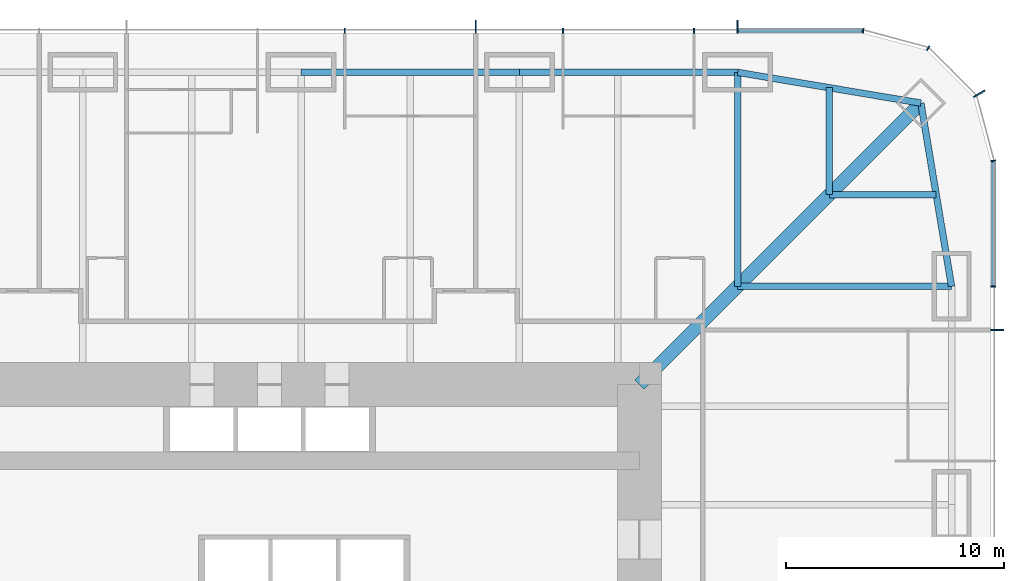
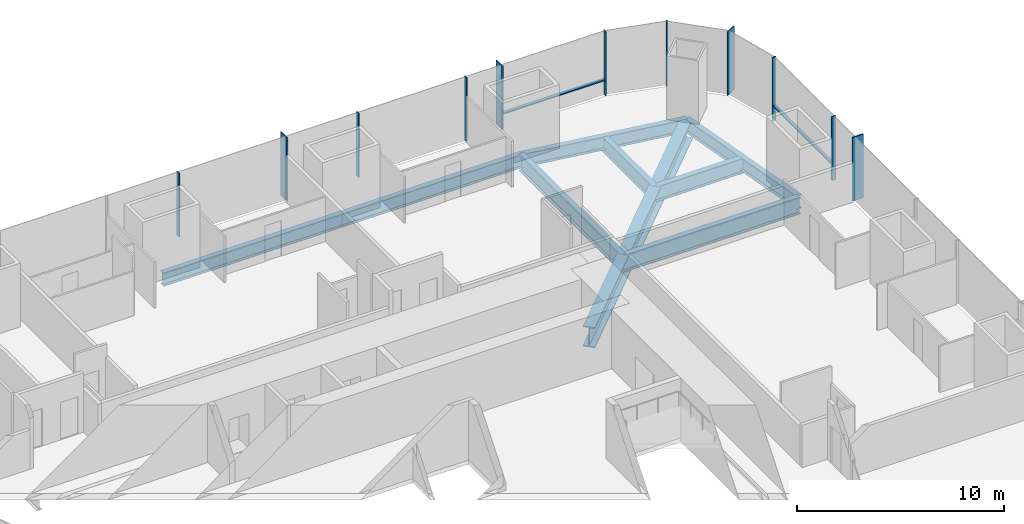
# One storey, part 9 of 17: 13 members, 9 beams, 3 elements without a shape of their own.
"""IFC4 building model written with IfcOpenShell, lengths in metres."""

from ifc_helpers import new_model, si_unit, direction, frame, origin, origin_2d, place, context, subcontext, project, spatial, rectangle, i_section, extrude, material, material_profile, profile_set, type_object, element, aggregate, save


model = new_model("IFC4")

# Units and contexts
model_context = context("Model", 3, precision=1e-05, world=origin(), true_north=direction((0.0, 1.0)))
body_context = subcontext(model_context, "Body", "Model", "MODEL_VIEW")
ifc_project = project(units=[si_unit("LENGTHUNIT", "METRE"), si_unit("AREAUNIT", "SQUARE_METRE"), si_unit("VOLUMEUNIT", "CUBIC_METRE"), si_unit("PLANEANGLEUNIT", "RADIAN"), si_unit("MASSUNIT", "GRAM", prefix="KILO")], contexts=[model_context])

# Site, building, storey
site_placement = place(None, origin())
site = spatial("IfcSite", under=ifc_project, at=site_placement, CompositionType="ELEMENT")
building_placement = place(site_placement, origin())
building = spatial("IfcBuilding", under=site, at=building_placement, Name="Khuree Lantern Residences", CompositionType="ELEMENT")
storey_placement = place(building_placement, frame((0.0, 0.0, 39.75)))
storey = spatial("IfcBuildingStorey", under=building, at=storey_placement, Name="L09", CompositionType="ELEMENT", Elevation=39.75)

# Beams
ifc_material_1 = material(Name="Steel S355", Category="steel")
ifc_material_profile_1 = material_profile(ifc_material_1, i_section(OverallWidth=0.300048828125, OverallDepth=0.889892578125, WebThickness=0.01611328125, FlangeThickness=0.030029296875, FilletRadius=0.030029296875, at=origin_2d()), Name="HE 900 A")
ifc_profile_set_1 = profile_set([ifc_material_profile_1], Name="Steel S355")
beam_type_1 = type_object("IfcBeamType", Name="B-12 SECONDARY BEAM HE 900 A", PredefinedType="BEAM", material=ifc_profile_set_1)
for number, where, z_axis, x_axis, name in (
    (1, (24.197021484375, 29.09716796875, -0.695068359375), (0.0, -1.0, 0.0), (1.0, 0.0, 0.0), "Secondary beam N5"),
    (2, (29.09716796875, 24.197021484375, -0.695068359375), (-1.0, 0.0, 0.0), (0.0, -1.0, 0.0), "Secondary beam E1"),
):
    element("IfcBeam", number, at=place(storey_placement, frame(where, z_axis=z_axis, x_axis=x_axis)), inside=storey, type_object=beam_type_1, Name=name, PredefinedType="BEAM", context=body_context, shape_type="SweptSolid", body=[
        extrude(i_section(OverallWidth=0.300048828125, OverallDepth=0.889892578125, WebThickness=0.01611328125, FlangeThickness=0.030029296875, FilletRadius=0.030029296875, at=origin_2d()), origin(), (0.0, 0.0, 1.0), 4.900146484375),
    ])
ifc_material_profile_2 = material_profile(ifc_material_1, i_section(OverallWidth=0.300048828125, OverallDepth=0.7900390625, WebThickness=0.014892578125, FlangeThickness=0.028076171875, FilletRadius=0.030029296875, at=origin_2d()), Name="HE 800 A")
ifc_profile_set_2 = profile_set([ifc_material_profile_2], Name="Steel S355")
beam_type_2 = type_object("IfcBeamType", Name="E-12 SPANDREL BEAM HE 800 A", PredefinedType="SPANDREL", material=ifc_profile_set_2)
for number, where, z_axis, x_axis, name in (
    (3, (0.0, 29.800048828125, -0.64501953125), (1.0, 0.0, 0.0), (0.0, 1.0, 0.0), "Spandrel beam N3"),
    (4, (10.0, 29.800048828125, -0.64501953125), (1.0, 0.0, 0.0), (0.0, 1.0, 0.0), "Spandrel beam N4"),
):
    element("IfcBeam", number, at=place(storey_placement, frame(where, z_axis=z_axis, x_axis=x_axis)), inside=storey, type_object=beam_type_2, Name=name, PredefinedType="SPANDREL", context=body_context, shape_type="SweptSolid", body=[
        extrude(i_section(OverallWidth=0.300048828125, OverallDepth=0.7900390625, WebThickness=0.014892578125, FlangeThickness=0.028076171875, FilletRadius=0.030029296875, at=origin_2d()), origin(), (0.0, 0.0, 1.0), 10.0),
    ])
for number, where, z_axis, x_axis, name in (
    (5, (20.0, 29.800048828125, -0.64501953125), (0.986260251158, -0.165199022349, 0.0), (0.165199022349, 0.986260251158, 0.0), "Spandrel beam N5"),
    (6, (28.39404296875, 28.39404296875, -0.64501953125), (0.165199022349, -0.986260251158, 0.0), (0.986260251158, 0.165199022349, 0.0), "Spandrel beam E1"),
):
    element("IfcBeam", number, at=place(storey_placement, frame(where, z_axis=z_axis, x_axis=x_axis)), inside=storey, type_object=beam_type_2, Name=name, PredefinedType="SPANDREL", context=body_context, shape_type="SweptSolid", body=[
        extrude(i_section(OverallWidth=0.300048828125, OverallDepth=0.7900390625, WebThickness=0.014892578125, FlangeThickness=0.028076171875, FilletRadius=0.030029296875, at=origin_2d()), origin(), (0.0, 0.0, 1.0), 8.510986328125),
    ])

# Curtain wall, member
ifc_material_2 = material(Name="Bronze anodised aluminium", Category="aluminium")
curtain_wall_type_1 = type_object("IfcCurtainWallType", Name="CW-T1 TOWER FACE CURTAIN WALL", PredefinedType="USERDEFINED", material=ifc_material_2)
curtain_wall_1_placement = place(storey_placement, origin())
curtain_wall_1 = element("IfcCurtainWall", 7, at=curtain_wall_1_placement, inside=storey, type_object=curtain_wall_type_1, Name="L09 EAST FACE CURTAIN WALL", ObjectType="Stick-built curtain wall", PredefinedType="USERDEFINED")
ifc_material_profile_3 = material_profile(ifc_material_2, rectangle(XDim=0.06494140625, YDim=0.60009765625, at=origin_2d()), Name="F1 65X600")
ifc_profile_set_3 = profile_set([ifc_material_profile_3], Name="Bronze anodised aluminium")
member_type_1 = type_object("IfcMemberType", Name="F1 BRONZE FIN MULLION TOWER 65X600", PredefinedType="MULLION", material=ifc_profile_set_3)
member_1_placement = place(storey_placement, frame((31.89990234375, 18.0, 0.0), z_axis=(0.0, 0.0, 1.0), x_axis=(0.0, 1.0, 0.0)))
member_1 = element("IfcMember", 8, at=member_1_placement, type_object=member_type_1, Name="L09 EAST FACE FIN MULLION 13", PredefinedType="MULLION", context=body_context, shape_type="SweptSolid", body=[
    extrude(rectangle(XDim=0.06494140625, YDim=0.60009765625, at=origin_2d()), origin(), (0.0, 0.0, 1.0), 3.75),
])

curtain_wall_type_2 = type_object("IfcCurtainWallType", Name="CW-T2 TOWER CORNER CURTAIN WALL", PredefinedType="USERDEFINED", material=ifc_material_2)
curtain_wall_2_placement = place(storey_placement, origin())
curtain_wall_2 = element("IfcCurtainWall", 9, at=curtain_wall_2_placement, inside=storey, type_object=curtain_wall_type_2, Name="L09 NORTH-EAST CORNER CURTAIN WALL", ObjectType="Faceted corner curtain wall", PredefinedType="USERDEFINED")
member_2_placement = place(storey_placement, frame((31.076171875, 28.824951171875, 0.0), z_axis=(0.0, 0.0, 1.0), x_axis=(-0.500000056923, 0.86602537092, 0.0)))
member_2 = element("IfcMember", 10, at=member_2_placement, type_object=member_type_1, Name="L09 NORTH-EAST CORNER FIN MULLION 16", PredefinedType="MULLION", context=body_context, shape_type="SweptSolid", body=[
    extrude(rectangle(XDim=0.06494140625, YDim=0.60009765625, at=origin_2d()), origin(), (0.0, 0.0, 1.0), 3.75),
])

# Curtain wall, members
curtain_wall_3_placement = place(storey_placement, origin())
curtain_wall_3 = element("IfcCurtainWall", 11, at=curtain_wall_3_placement, inside=storey, type_object=curtain_wall_type_1, Name="L09 NORTH FACE CURTAIN WALL", ObjectType="Stick-built curtain wall", PredefinedType="USERDEFINED")
member_3_placement = place(storey_placement, frame((20.0, 31.89990234375, 0.0), z_axis=(0.0, 0.0, 1.0), x_axis=(-1.0, 0.0, 0.0)))
member_3 = element("IfcMember", 12, at=member_3_placement, type_object=member_type_1, Name="L09 NORTH FACE FIN MULLION 19", PredefinedType="MULLION", context=body_context, shape_type="SweptSolid", body=[
    extrude(rectangle(XDim=0.06494140625, YDim=0.60009765625, at=origin_2d()), origin(), (0.0, 0.0, 1.0), 3.75),
])
member_4_placement = place(storey_placement, frame((8.0, 31.89990234375, 0.0), z_axis=(0.0, 0.0, 1.0), x_axis=(-1.0, 0.0, 0.0)))
member_4 = element("IfcMember", 13, at=member_4_placement, type_object=member_type_1, Name="L09 NORTH FACE FIN MULLION 22", PredefinedType="MULLION", context=body_context, shape_type="SweptSolid", body=[
    extrude(rectangle(XDim=0.06494140625, YDim=0.60009765625, at=origin_2d()), origin(), (0.0, 0.0, 1.0), 3.75),
])

# Beams
ifc_material_profile_4 = material_profile(ifc_material_1, i_section(OverallWidth=0.302001953125, OverallDepth=1.008056640625, WebThickness=0.02099609375, FlangeThickness=0.0400390625, FilletRadius=0.030029296875, at=origin_2d()), Name="HE 1000 M")
ifc_profile_set_4 = profile_set([ifc_material_profile_4], Name="Steel S355")
beam_type_3 = type_object("IfcBeamType", Name="G-12 GIRDER HE 1000 M", PredefinedType="BEAM", material=ifc_profile_set_4)
for number, where, z_axis, x_axis, name in (
    (14, (20.0, 29.800048828125, -0.75390625), (0.0, -1.0, 0.0), (1.0, 0.0, 0.0), "Girder N5"),
    (15, (29.800048828125, 20.0, -0.75390625), (-1.0, 0.0, 0.0), (0.0, -1.0, 0.0), "Girder E1"),
):
    element("IfcBeam", number, at=place(storey_placement, frame(where, z_axis=z_axis, x_axis=x_axis)), inside=storey, type_object=beam_type_3, Name=name, PredefinedType="BEAM", context=body_context, shape_type="SweptSolid", body=[
        extrude(i_section(OverallWidth=0.302001953125, OverallDepth=1.008056640625, WebThickness=0.02099609375, FlangeThickness=0.0400390625, FilletRadius=0.030029296875, at=origin_2d()), origin(), (0.0, 0.0, 1.0), 9.800048828125),
    ])
ifc_material_profile_5 = material_profile(ifc_material_1, i_section(OverallWidth=0.60009765625, OverallDepth=1.199951171875, WebThickness=0.030029296875, FlangeThickness=0.06005859375, at=origin_2d()), Name="WELDED I 1200X600X30X60")
ifc_profile_set_5 = profile_set([ifc_material_profile_5], Name="Steel S355")
beam_type_4 = type_object("IfcBeamType", Name="GD-12 CORNER GIRDER WELDED I 1200X600X30X60", PredefinedType="BEAM", material=ifc_profile_set_5)
beam_placement = place(storey_placement, frame((28.39404296875, 28.39404296875, -0.85009765625), z_axis=(-0.707106781187, -0.707106781187, 0.0), x_axis=(0.707106781187, -0.707106781187, 0.0)))
element("IfcBeam", 16, at=beam_placement, inside=storey, type_object=beam_type_4, Name="Corner girder NE", PredefinedType="BEAM", context=body_context, shape_type="SweptSolid", body=[
    extrude(i_section(OverallWidth=0.60009765625, OverallDepth=1.199951171875, WebThickness=0.030029296875, FlangeThickness=0.06005859375, at=origin_2d()), origin(), (0.0, 0.0, 1.0), 18.23486328125),
])

# Member
ifc_material_profile_6 = material_profile(ifc_material_2, rectangle(XDim=0.06494140625, YDim=0.219970703125, at=origin_2d()), Name="M1 65X220")
ifc_profile_set_6 = profile_set([ifc_material_profile_6], Name="Bronze anodised aluminium")
member_type_2 = type_object("IfcMemberType", Name="M1 BRONZE MULLION TOWER 65X220", PredefinedType="MULLION", material=ifc_profile_set_6)
member_5_placement = place(storey_placement, frame((31.7099609375, 20.0, 0.0), z_axis=(0.0, 0.0, 1.0), x_axis=(0.0, 1.0, 0.0)))
member_5 = element("IfcMember", 17, at=member_5_placement, type_object=member_type_2, Name="L09 EAST FACE MULLION 14", PredefinedType="MULLION", context=body_context, shape_type="SweptSolid", body=[
    extrude(rectangle(XDim=0.06494140625, YDim=0.219970703125, at=origin_2d()), origin(), (0.0, 0.0, 1.0), 3.75),
])

member_6_placement = place(storey_placement, frame((31.711669921875, 25.744873046875, 0.0), z_axis=(0.0, 0.0, 1.0), x_axis=(-0.130526257387, 0.991444852794, 0.0)))
member_6 = element("IfcMember", 18, at=member_6_placement, type_object=member_type_2, Name="L09 NORTH-EAST CORNER MULLION 15", PredefinedType="MULLION", context=body_context, shape_type="SweptSolid", body=[
    extrude(rectangle(XDim=0.06494140625, YDim=0.219970703125, at=origin_2d()), origin(), (0.0, 0.0, 1.0), 3.75),
])

member_7_placement = place(storey_placement, frame((28.72998046875, 30.91162109375, 0.0), z_axis=(0.0, 0.0, 1.0), x_axis=(-0.86602537092, 0.500000056923, 0.0)))
member_7 = element("IfcMember", 19, at=member_7_placement, type_object=member_type_2, Name="L09 NORTH-EAST CORNER MULLION 17", PredefinedType="MULLION", context=body_context, shape_type="SweptSolid", body=[
    extrude(rectangle(XDim=0.06494140625, YDim=0.219970703125, at=origin_2d()), origin(), (0.0, 0.0, 1.0), 3.75),
])

aggregate(curtain_wall_2, [member_6, member_2, member_7])

member_8_placement = place(storey_placement, frame((25.744873046875, 31.711669921875, 0.0), z_axis=(0.0, 0.0, 1.0), x_axis=(-0.991444852794, 0.130526257387, 0.0)))
member_8 = element("IfcMember", 20, at=member_8_placement, type_object=member_type_2, Name="L09 NORTH FACE MULLION 18", PredefinedType="MULLION", context=body_context, shape_type="SweptSolid", body=[
    extrude(rectangle(XDim=0.06494140625, YDim=0.219970703125, at=origin_2d()), origin(), (0.0, 0.0, 1.0), 3.75),
])

member_9_placement = place(storey_placement, frame((18.0, 31.7099609375, 0.0), z_axis=(0.0, 0.0, 1.0), x_axis=(-1.0, 0.0, 0.0)))
member_9 = element("IfcMember", 21, at=member_9_placement, type_object=member_type_2, Name="L09 NORTH FACE MULLION 20", PredefinedType="MULLION", context=body_context, shape_type="SweptSolid", body=[
    extrude(rectangle(XDim=0.06494140625, YDim=0.219970703125, at=origin_2d()), origin(), (0.0, 0.0, 1.0), 3.75),
])

member_10_placement = place(storey_placement, frame((12.0, 31.7099609375, 0.0), z_axis=(0.0, 0.0, 1.0), x_axis=(-1.0, 0.0, 0.0)))
member_10 = element("IfcMember", 22, at=member_10_placement, type_object=member_type_2, Name="L09 NORTH FACE MULLION 21", PredefinedType="MULLION", context=body_context, shape_type="SweptSolid", body=[
    extrude(rectangle(XDim=0.06494140625, YDim=0.219970703125, at=origin_2d()), origin(), (0.0, 0.0, 1.0), 3.75),
])

member_11_placement = place(storey_placement, frame((2.0, 31.7099609375, 0.0), z_axis=(0.0, 0.0, 1.0), x_axis=(-1.0, 0.0, 0.0)))
member_11 = element("IfcMember", 23, at=member_11_placement, type_object=member_type_2, Name="L09 NORTH FACE MULLION 23", PredefinedType="MULLION", context=body_context, shape_type="SweptSolid", body=[
    extrude(rectangle(XDim=0.06494140625, YDim=0.219970703125, at=origin_2d()), origin(), (0.0, 0.0, 1.0), 3.75),
])

ifc_material_profile_7 = material_profile(ifc_material_2, rectangle(XDim=0.179931640625, YDim=0.06494140625, at=origin_2d()), Name="T1 180X65")
ifc_profile_set_7 = profile_set([ifc_material_profile_7], Name="Bronze anodised aluminium")
member_type_3 = type_object("IfcMemberType", Name="TRANSOM T1 TOWER 180X65", PredefinedType="USERDEFINED", material=ifc_profile_set_7)
member_12_placement = place(storey_placement, frame((31.719970703125, 20.032470703125, 0.89990234375), z_axis=(0.0, 1.0, 0.0), x_axis=(-1.0, 0.0, 0.0)))
member_12 = element("IfcMember", 24, at=member_12_placement, type_object=member_type_3, Name="L09 EAST FACE TRANSOM 14.1", ObjectType="Transom", PredefinedType="USERDEFINED", context=body_context, shape_type="SweptSolid", body=[
    extrude(rectangle(XDim=0.179931640625, YDim=0.06494140625, at=origin_2d()), origin(), (0.0, 0.0, 1.0), 5.6689453125),
])

aggregate(curtain_wall_1, [member_1, member_5, member_12])

member_13_placement = place(storey_placement, frame((25.701416015625, 31.719970703125, 0.89990234375), z_axis=(-1.0, 0.0, 0.0), x_axis=(0.0, -1.0, 0.0)))
member_13 = element("IfcMember", 25, at=member_13_placement, type_object=member_type_3, Name="L09 NORTH FACE TRANSOM 18.1", ObjectType="Transom", PredefinedType="USERDEFINED", context=body_context, shape_type="SweptSolid", body=[
    extrude(rectangle(XDim=0.179931640625, YDim=0.06494140625, at=origin_2d()), origin(), (0.0, 0.0, 1.0), 5.6689453125),
])

aggregate(curtain_wall_3, [member_8, member_3, member_9, member_10, member_4, member_11, member_13])

save(model, "model.ifc")
